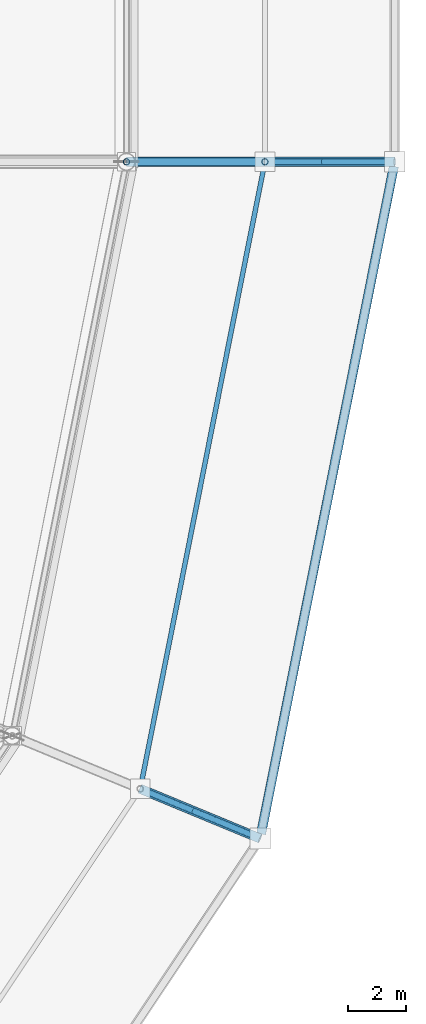
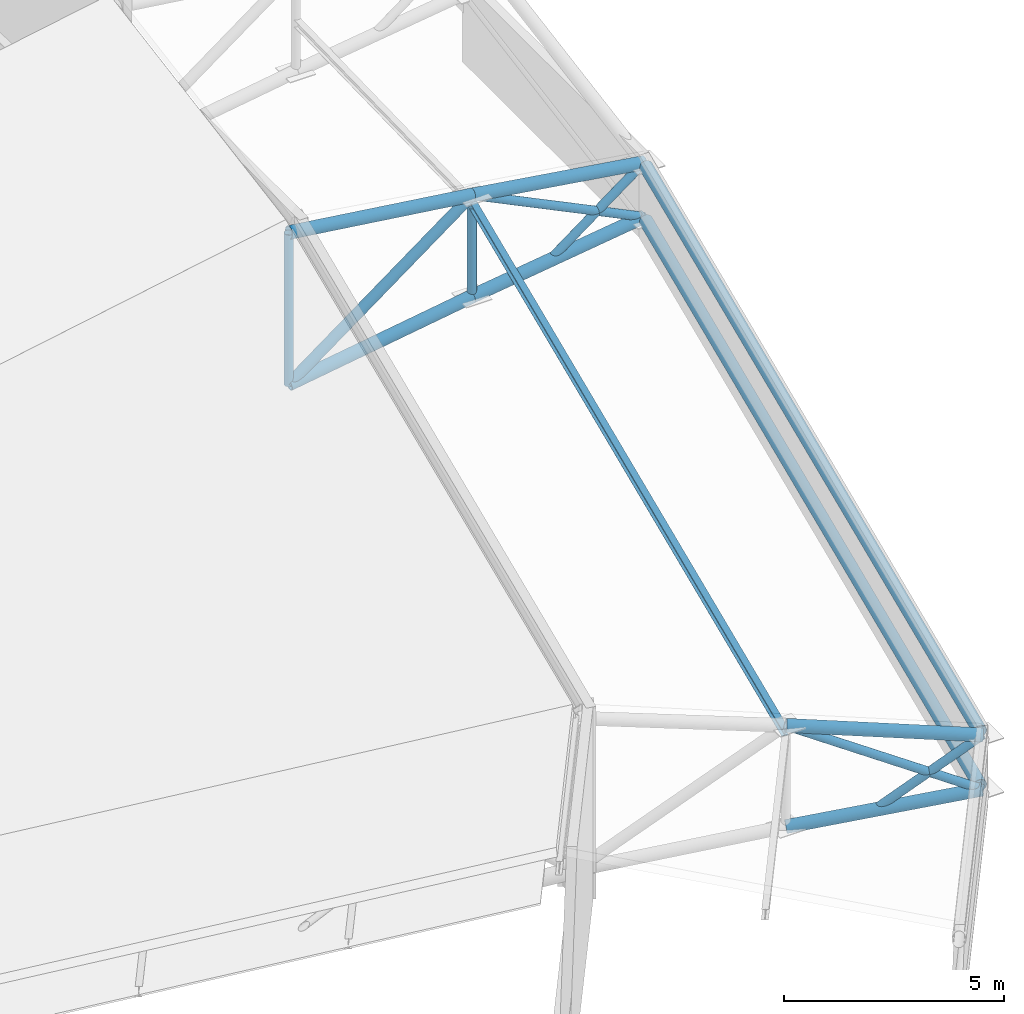
# One storey, part 72 of 146: 16 members.
"""IFC4 building model written with IfcOpenShell, lengths in metres."""

from ifc_helpers import new_model, si_unit, direction, frame, origin, origin_2d, place, context, subcontext, project, spatial, hollow_circle, i_section, extrude, material, material_profile, profile_set, type_object, element, save


model = new_model("IFC4")

# Units and contexts
model_context = context("Model", 3, precision=1e-05, world=origin(), true_north=direction((0.0, 1.0)))
body_context = subcontext(model_context, "Body", "Model", "MODEL_VIEW")
ifc_project = project(units=[si_unit("LENGTHUNIT", "METRE"), si_unit("AREAUNIT", "SQUARE_METRE"), si_unit("VOLUMEUNIT", "CUBIC_METRE"), si_unit("PLANEANGLEUNIT", "RADIAN"), si_unit("MASSUNIT", "GRAM", prefix="KILO")], contexts=[model_context])

# Site, building, storey
site_placement = place(None, origin())
site = spatial("IfcSite", under=ifc_project, at=site_placement, CompositionType="ELEMENT")
building_placement = place(site_placement, origin())
building = spatial("IfcBuilding", under=site, at=building_placement, Name="Candeia Ridge Stadium", CompositionType="ELEMENT")
storey_placement = place(building_placement, frame((0.0, 0.0, 31.800048828125)))
storey = spatial("IfcBuildingStorey", under=building, at=storey_placement, Name="RF", CompositionType="ELEMENT", Elevation=31.800048828125)

# Members
ifc_material = material(Name="Steel ASTM A572 Grade 50", Category="steel")
ifc_material_profile_1 = material_profile(ifc_material, i_section(OverallWidth=0.1650390625, OverallDepth=0.200927734375, WebThickness=0.006103515625, FlangeThickness=0.01025390625, FilletRadius=0.010009765625, at=origin_2d()), Name="W200x35.9", Category="steel")
ifc_profile_set_1 = profile_set([ifc_material_profile_1], Name="Steel ASTM A572 Grade 50")
member_type_1 = type_object("IfcMemberType", Name="Roof Purlin W200x35.9", PredefinedType="PURLIN", material=ifc_profile_set_1)
member_1_placement = place(storey_placement, frame((193.486083984375, 49.3125, 3.73828125), z_axis=(0.195092429325, 0.980784861231, 0.0), x_axis=(-0.980784861231, 0.195092429325, 0.0)))
element("IfcMember", 1, at=member_1_placement, inside=storey, type_object=member_type_1, Name="Saddle roof steel purlin bay 29-5", PredefinedType="PURLIN", context=body_context, shape_type="SweptSolid", body=[
    extrude(i_section(OverallWidth=0.1650390625, OverallDepth=0.200927734375, WebThickness=0.006103515625, FlangeThickness=0.01025390625, FilletRadius=0.010009765625, at=origin_2d()), origin(), (0.0, 0.0, 1.0), 22.062255859375),
])
ifc_material_profile_2 = material_profile(ifc_material, hollow_circle(Radius=0.161865234375, WallThickness=0.012451171875, at=origin_2d()), Name="CHS323x12", Category="steel")
ifc_profile_set_2 = profile_set([ifc_material_profile_2], Name="Steel ASTM A572 Grade 50")
member_type_2 = type_object("IfcMemberType", Name="Roof Truss Eaves Chord CHS323x12", PredefinedType="CHORD", material=ifc_profile_set_2)
member_2_placement = place(storey_placement, frame((193.476318359375, 49.263671875, 3.958251953125), z_axis=(0.913584487427, -0.378438250885, -0.148821620067), x_axis=(0.382699975578, 0.923872679915, 0.0)))
element("IfcMember", 2, at=member_2_placement, inside=storey, type_object=member_type_2, Name="Roof cantilever truss RT-29 top chord 8", PredefinedType="CHORD", context=body_context, shape_type="SweptSolid", body=[
    extrude(hollow_circle(Radius=0.161865234375, WallThickness=0.012451171875, at=origin_2d()), origin(), (0.0, 0.0, 1.0), 4.55078125),
])
member_3_placement = place(storey_placement, frame((193.476318359375, 49.263671875, 1.15185546875), z_axis=(0.914973571928, -0.379013657665, 0.138463027474), x_axis=(0.382699975578, 0.923872679915, 0.0)))
element("IfcMember", 3, at=member_3_placement, inside=storey, type_object=member_type_2, Name="Roof cantilever truss RT-29 bottom chord 8", PredefinedType="CHORD", context=body_context, shape_type="SweptSolid", body=[
    extrude(hollow_circle(Radius=0.161865234375, WallThickness=0.012451171875, at=origin_2d()), origin(), (0.0, 0.0, 1.0), 4.543701171875),
])
for number, where, z_axis, x_axis, name in (
    (4, (197.6650390625, 47.698486328125, 3.281005859375), (0.195091392584, 0.980785067453, 0.0), (-0.980785067453, 0.195091392584, 0.0), "Saddle roof outer eaves top ring chord bay 29"),
    (5, (197.6650390625, 47.698486328125, 1.781005859375), (0.195091392584, 0.980785067453, 0.0), (-0.980785067453, 0.195091392584, 0.0), "Saddle roof outer eaves bottom ring chord bay 29"),
):
    element("IfcMember", number, at=place(storey_placement, frame(where, z_axis=z_axis, x_axis=x_axis)), inside=storey, type_object=member_type_2, Name=name, PredefinedType="CHORD", context=body_context, shape_type="SweptSolid", body=[
        extrude(hollow_circle(Radius=0.161865234375, WallThickness=0.012451171875, at=origin_2d()), origin(), (0.0, 0.0, 1.0), 23.597900390625),
    ])
member_4_placement = place(storey_placement, frame((193.0, 71.0, 4.599853515625), z_axis=(0.991184698971, 0.0, -0.132487329683), x_axis=(0.0, 1.0, 0.0)))
element("IfcMember", 6, at=member_4_placement, inside=storey, type_object=member_type_2, Name="Roof cantilever truss RT-30 top chord 7", PredefinedType="CHORD", context=body_context, shape_type="SweptSolid", body=[
    extrude(hollow_circle(Radius=0.161865234375, WallThickness=0.012451171875, at=origin_2d()), origin(), (0.0, 0.0, 1.0), 4.8427734375),
])
member_5_placement = place(storey_placement, frame((193.0, 71.0, 0.39990234375), z_axis=(0.987950881294, 0.0, 0.154767749066), x_axis=(0.0, 1.0, 0.0)))
element("IfcMember", 7, at=member_5_placement, inside=storey, type_object=member_type_2, Name="Roof cantilever truss RT-30 bottom chord 7", PredefinedType="CHORD", context=body_context, shape_type="SweptSolid", body=[
    extrude(hollow_circle(Radius=0.161865234375, WallThickness=0.012451171875, at=origin_2d()), origin(), (0.0, 0.0, 1.0), 4.858642578125),
])
member_6_placement = place(storey_placement, frame((197.800048828125, 71.0, 3.958251953125), z_axis=(0.988863828185, 0.0, -0.148823147753), x_axis=(0.0, 1.0, 0.0)))
element("IfcMember", 8, at=member_6_placement, inside=storey, type_object=member_type_2, Name="Roof cantilever truss RT-30 top chord 8", PredefinedType="CHORD", context=body_context, shape_type="SweptSolid", body=[
    extrude(hollow_circle(Radius=0.161865234375, WallThickness=0.012451171875, at=origin_2d()), origin(), (0.0, 0.0, 1.0), 4.55078125),
])
member_7_placement = place(storey_placement, frame((197.800048828125, 71.0, 1.15185546875), z_axis=(0.990367404155, 0.0, 0.138464453153), x_axis=(0.0, 1.0, 0.0)))
element("IfcMember", 9, at=member_7_placement, inside=storey, type_object=member_type_2, Name="Roof cantilever truss RT-30 bottom chord 8", PredefinedType="CHORD", context=body_context, shape_type="SweptSolid", body=[
    extrude(hollow_circle(Radius=0.161865234375, WallThickness=0.012451171875, at=origin_2d()), origin(), (0.0, 0.0, 1.0), 4.543701171875),
])
ifc_material_profile_3 = material_profile(ifc_material, hollow_circle(Radius=0.136474609375, WallThickness=0.010009765625, at=origin_2d()), Name="CHS273x10", Category="steel")
ifc_profile_set_3 = profile_set([ifc_material_profile_3], Name="Steel ASTM A572 Grade 50")
member_type_3 = type_object("IfcMemberType", Name="Roof Truss Heavy Web Brace CHS273x10", PredefinedType="BRACE", material=ifc_profile_set_3)
member_8_placement = place(storey_placement, frame((193.0, 71.0, 0.39990234375), z_axis=(0.803336374347, 0.0, 0.595525540721), x_axis=(0.0, 1.0, 0.0)))
element("IfcMember", 10, at=member_8_placement, inside=storey, type_object=member_type_3, Name="Roof cantilever truss RT-30 diagonal web 7", PredefinedType="BRACE", context=body_context, shape_type="SweptSolid", body=[
    extrude(hollow_circle(Radius=0.136474609375, WallThickness=0.010009765625, at=origin_2d()), origin(), (0.0, 0.0, 1.0), 5.97509765625),
])
ifc_material_profile_4 = material_profile(ifc_material, hollow_circle(Radius=0.109619140625, WallThickness=0.010009765625, at=origin_2d()), Name="CHS219x10", Category="steel")
ifc_profile_set_4 = profile_set([ifc_material_profile_4], Name="Steel ASTM A572 Grade 50")
member_type_4 = type_object("IfcMemberType", Name="Roof Truss Inner Web Brace CHS219x10", PredefinedType="BRACE", material=ifc_profile_set_4)
member_9_placement = place(storey_placement, frame((193.476318359375, 49.263671875, 3.958251953125), z_axis=(0.831646749952, -0.344496809804, -0.435529139472), x_axis=(0.382699975578, 0.923872679915, 0.0)))
element("IfcMember", 11, at=member_9_placement, inside=storey, type_object=member_type_4, Name="Roof cantilever truss RT-29 diagonal web 8", PredefinedType="BRACE", context=body_context, shape_type="SweptSolid", body=[
    extrude(hollow_circle(Radius=0.109619140625, WallThickness=0.010009765625, at=origin_2d()), origin(), (0.0, 0.0, 1.0), 4.9990234375),
])
member_10_placement = place(storey_placement, frame((195.34716796875, 48.488525390625, 1.43505859375), z_axis=(0.740592396504, -0.306721963062, 0.597866657054), x_axis=(0.382639293348, 0.923897814256, 0.0)))
element("IfcMember", 12, at=member_10_placement, inside=storey, type_object=member_type_4, Name="Roof cantilever truss RT-29 vertical post 8", PredefinedType="BRACE", context=body_context, shape_type="SweptSolid", body=[
    extrude(hollow_circle(Radius=0.109619140625, WallThickness=0.010009765625, at=origin_2d()), origin(), (0.0, 0.0, 1.0), 3.087646484375),
])
member_11_placement = place(storey_placement, frame((197.800048828125, 71.0, 3.958251953125), z_axis=(0.900172839827, 0.0, -0.43553284427), x_axis=(0.0, 1.0, 0.0)))
element("IfcMember", 13, at=member_11_placement, inside=storey, type_object=member_type_4, Name="Roof cantilever truss RT-30 diagonal web 8", PredefinedType="BRACE", context=body_context, shape_type="SweptSolid", body=[
    extrude(hollow_circle(Radius=0.109619140625, WallThickness=0.010009765625, at=origin_2d()), origin(), (0.0, 0.0, 1.0), 4.9990234375),
])
member_12_placement = place(storey_placement, frame((193.0, 71.0, 0.39990234375), z_axis=(0.0, 0.0, 1.0), x_axis=(1.0, 0.0, 0.0)))
element("IfcMember", 14, at=member_12_placement, inside=storey, type_object=member_type_4, Name="Roof cantilever truss RT-30 vertical post 6", PredefinedType="BRACE", context=body_context, shape_type="SweptSolid", body=[
    extrude(hollow_circle(Radius=0.109619140625, WallThickness=0.010009765625, at=origin_2d()), origin(), (0.0, 0.0, 1.0), 4.199951171875),
])
member_13_placement = place(storey_placement, frame((197.800048828125, 71.0, 1.15185546875), z_axis=(0.0, 0.0, 1.0), x_axis=(1.0, 0.0, 0.0)))
element("IfcMember", 15, at=member_13_placement, inside=storey, type_object=member_type_4, Name="Roof cantilever truss RT-30 vertical post 7", PredefinedType="BRACE", context=body_context, shape_type="SweptSolid", body=[
    extrude(hollow_circle(Radius=0.109619140625, WallThickness=0.010009765625, at=origin_2d()), origin(), (0.0, 0.0, 1.0), 2.806396484375),
])
member_14_placement = place(storey_placement, frame((199.824951171875, 71.0, 1.43505859375), z_axis=(0.80161013398, 0.0, 0.597847131883), x_axis=(0.0, 1.0, 0.0)))
element("IfcMember", 16, at=member_14_placement, inside=storey, type_object=member_type_4, Name="Roof cantilever truss RT-30 vertical post 8", PredefinedType="BRACE", context=body_context, shape_type="SweptSolid", body=[
    extrude(hollow_circle(Radius=0.109619140625, WallThickness=0.010009765625, at=origin_2d()), origin(), (0.0, 0.0, 1.0), 3.087646484375),
])

save(model, "model.ifc")
